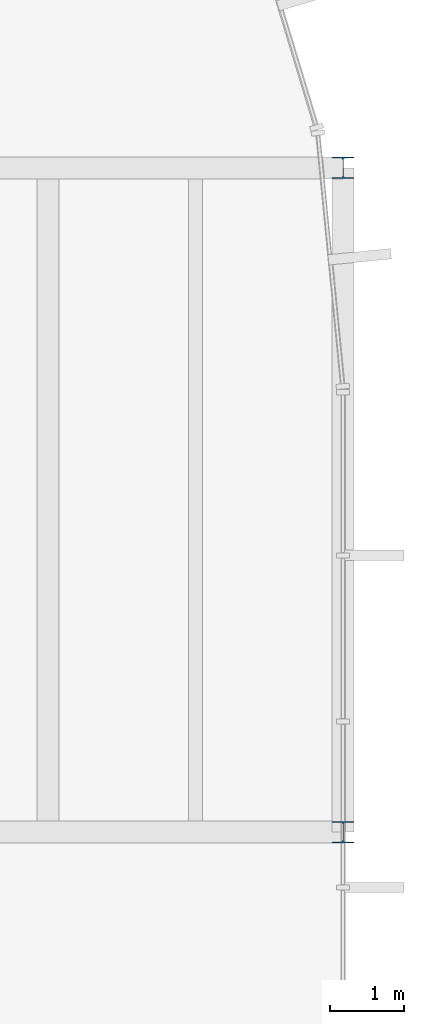
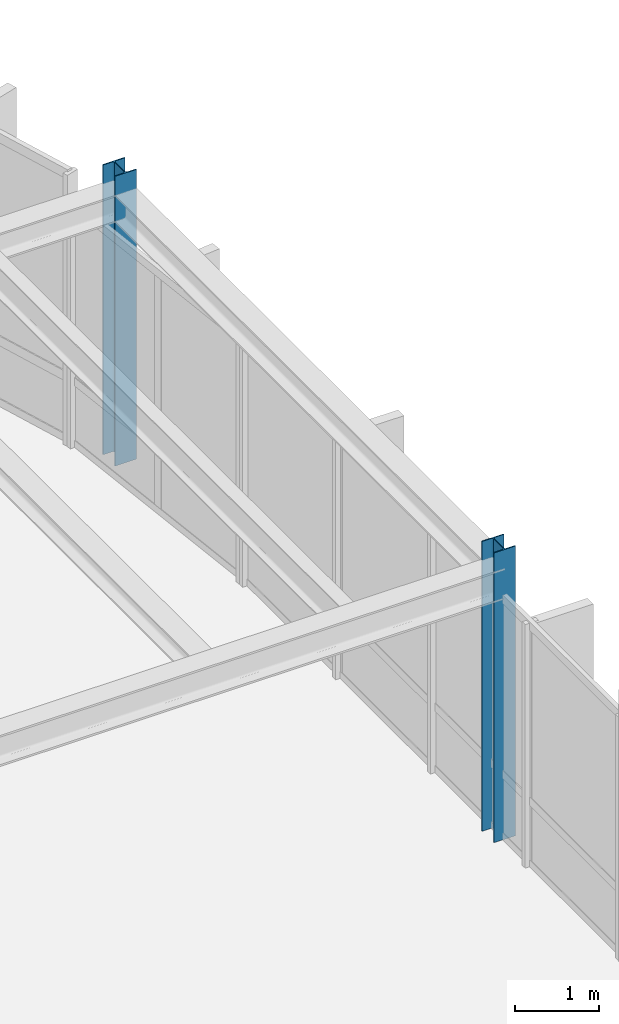
# One storey, part 5 of 21: 2 columns.
"""IFC4 building model written with IfcOpenShell, lengths in metres."""

from ifc_helpers import new_model, si_unit, direction, frame, origin, origin_2d, place, context, subcontext, project, spatial, i_section, extrude, material, material_profile, profile_set, type_object, element, save


model = new_model("IFC4")

# Units and contexts
model_context = context("Model", 3, precision=1e-05, world=origin(), true_north=direction((0.0, 1.0)))
body_context = subcontext(model_context, "Body", "Model", "MODEL_VIEW")
ifc_project = project(units=[si_unit("LENGTHUNIT", "METRE"), si_unit("AREAUNIT", "SQUARE_METRE"), si_unit("VOLUMEUNIT", "CUBIC_METRE"), si_unit("PLANEANGLEUNIT", "RADIAN"), si_unit("MASSUNIT", "GRAM", prefix="KILO")], contexts=[model_context])

# Site, building, storey
site_placement = place(None, origin())
site = spatial("IfcSite", under=ifc_project, at=site_placement, CompositionType="ELEMENT")
building_placement = place(site_placement, origin())
building = spatial("IfcBuilding", under=site, at=building_placement, Name="Montealbar Specialist Clinic", CompositionType="ELEMENT")
storey_placement = place(building_placement, frame((0.0, 0.0, 26.39990234375)))
storey = spatial("IfcBuildingStorey", under=building, at=storey_placement, Name="L06", CompositionType="ELEMENT", Elevation=26.39990234375)

# Columns
ifc_material = material(Name="Steel S355", Category="steel")
ifc_material_profile = material_profile(ifc_material, i_section(OverallWidth=0.300048828125, OverallDepth=0.2900390625, WebThickness=0.008544921875, FlangeThickness=0.013916015625, FilletRadius=0.027099609375, at=origin_2d()), Name="HEA 300", Category="steel")
ifc_profile_set = profile_set([ifc_material_profile], Name="Steel S355")
column_type = type_object("IfcColumnType", Name="COL-S-L06-STD-EXT", PredefinedType="COLUMN", material=ifc_profile_set)
for number, where, z_axis, x_axis, name in (
    (1, (111.0, 27.0, 0.0), (0.0, 0.0, 1.0), (1.0, 0.0, 0.0), "Column 15/D L06"),
    (2, (111.0, 36.0, 0.0), (0.0, 0.0, 1.0), (1.0, 0.0, 0.0), "Column 15/E L06"),
):
    element("IfcColumn", number, at=place(storey_placement, frame(where, z_axis=z_axis, x_axis=x_axis)), inside=storey, type_object=column_type, Name=name, PredefinedType="COLUMN", context=body_context, shape_type="SweptSolid", body=[
        extrude(i_section(OverallWidth=0.300048828125, OverallDepth=0.2900390625, WebThickness=0.008544921875, FlangeThickness=0.013916015625, FilletRadius=0.027099609375, at=origin_2d()), origin(), (0.0, 0.0, 1.0), 4.2001953125),
    ])

save(model, "model.ifc")
